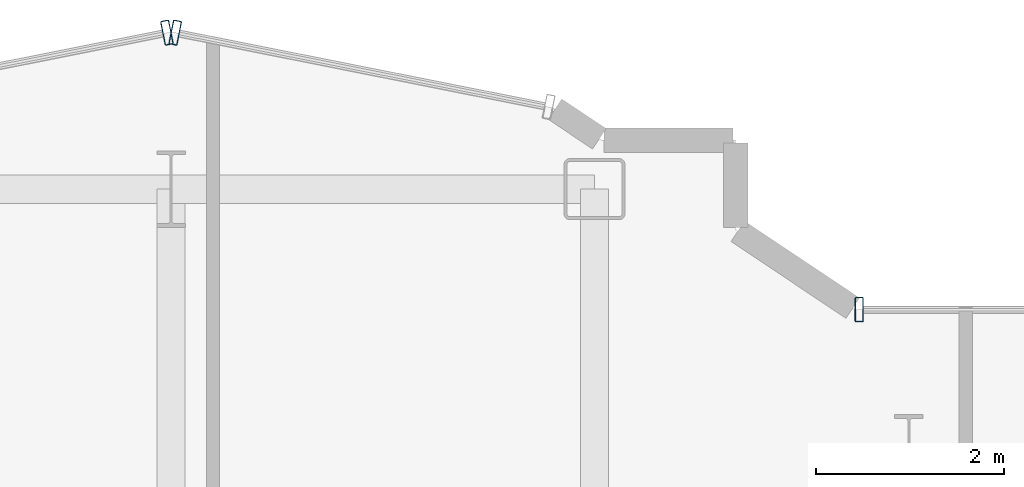
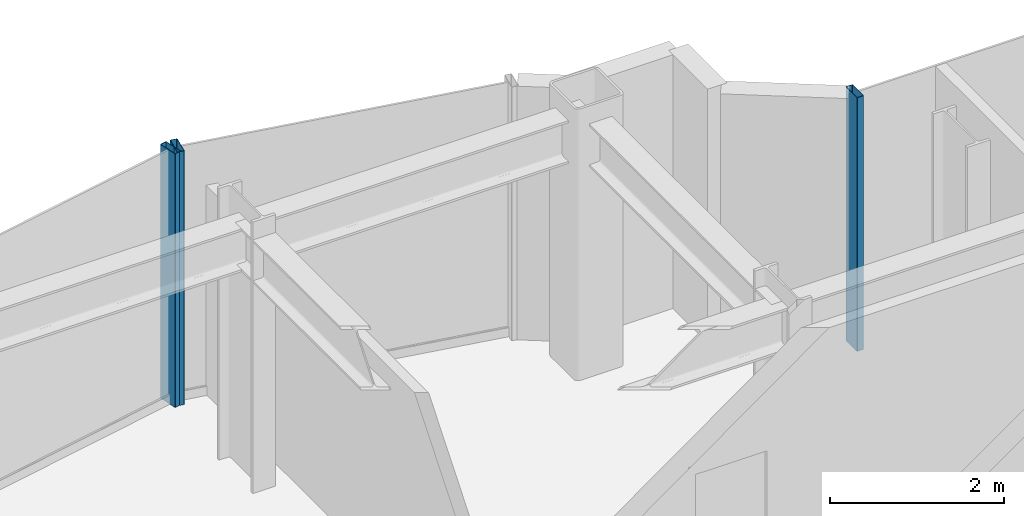
# One storey, part 10 of 20: 3 members, 3 elements without a shape of their own.
"""IFC4 building model written with IfcOpenShell, lengths in metres."""

from ifc_helpers import new_model, si_unit, direction, frame, origin, origin_2d, place, context, subcontext, project, spatial, hollow_rectangle, extrude, source, transform, mapped, material, layer, layer_set, material_profile, profile_set, type_object, element, aggregate, save


model = new_model("IFC4")

# Units and contexts
model_context = context("Model", 3, precision=1e-05, world=origin(), true_north=direction((0.0, 1.0)))
body_context = subcontext(model_context, "Body", "Model", "MODEL_VIEW")
ifc_project = project(units=[si_unit("LENGTHUNIT", "METRE"), si_unit("AREAUNIT", "SQUARE_METRE"), si_unit("VOLUMEUNIT", "CUBIC_METRE"), si_unit("PLANEANGLEUNIT", "RADIAN"), si_unit("MASSUNIT", "GRAM", prefix="KILO")], contexts=[model_context])

# Site, building, storey
site_placement = place(None, origin())
site = spatial("IfcSite", under=ifc_project, at=site_placement, CompositionType="ELEMENT")
building_placement = place(site_placement, origin())
building = spatial("IfcBuilding", under=site, at=building_placement, Name="Nefas-Gora Pilgrimage Tower", CompositionType="ELEMENT")
storey_placement = place(building_placement, frame((0.0, 0.0, 237.0)))
storey = spatial("IfcBuildingStorey", under=building, at=storey_placement, Name="L59", CompositionType="ELEMENT", Elevation=237.0)

# Curtain wall, member
ifc_material_1 = material(Name="Dark ceramic-fritted solar-control aluminium-glass curtain wall", Category="aluminium")
ifc_layer = layer(ifc_material_1, 0.219970703125)
ifc_layer_set = layer_set([ifc_layer], Name="Dark ceramic-fritted solar-control aluminium-glass curtain wall")
curtain_wall_type = type_object("IfcCurtainWallType", Name="CW-SYS-5", PredefinedType="NOTDEFINED", material=ifc_layer_set)
curtain_wall_1_placement = place(storey_placement, origin())
curtain_wall_1 = element("IfcCurtainWall", 1, at=curtain_wall_1_placement, inside=storey, type_object=curtain_wall_type, Name="L59 Unitised Curtain Wall CW5", PredefinedType="NOTDEFINED")
ifc_material_2 = material(Name="Anodised architectural aluminium", Category="aluminium")
ifc_material_profile = material_profile(ifc_material_2, hollow_rectangle(XDim=0.090087890625, YDim=0.260009765625, WallThickness=0.006103515625, InnerFilletRadius=0.006103515625, OuterFilletRadius=0.011962890625, at=origin_2d()), Name="ALU MULLION 90x260")
ifc_profile_set = profile_set([ifc_material_profile], Name="Anodised architectural aluminium")
member_type = type_object("IfcMemberType", Name="CWM-MUL-5", PredefinedType="MULLION", material=ifc_profile_set)
shared_shape = source(origin(), body_context, "Body", "SweptSolid", [
    extrude(hollow_rectangle(XDim=0.090087890625, YDim=0.260009765625, WallThickness=0.006103515625, InnerFilletRadius=0.006103515625, OuterFilletRadius=0.011962890625, at=origin_2d()), origin(), (0.0, 0.0, 1.0), 3.550048828125),
])
member_1_placement = place(storey_placement, frame((5.06298828125, 21.219970703125, 0.0), z_axis=(0.0, 0.0, 1.0), x_axis=(-1.0, 0.0, 0.0)))
member_1 = element("IfcMember", 2, at=member_1_placement, type_object=member_type, Name="CW5 Mullion 2", PredefinedType="MULLION", context=body_context, shape_type="MappedRepresentation", body=[
    mapped(shared_shape, transform((0.0, 0.0, 0.0), x_axis=(1.0, 0.0, 0.0), y_axis=(0.0, 1.0, 0.0), z_axis=(0.0, 0.0, 1.0), scale=1.0)),
])
aggregate(curtain_wall_1, [member_1])

curtain_wall_2_placement = place(storey_placement, origin())
curtain_wall_2 = element("IfcCurtainWall", 3, at=curtain_wall_2_placement, inside=storey, type_object=curtain_wall_type, Name="L59 Unitised Curtain Wall CW5", PredefinedType="NOTDEFINED")
member_2_placement = place(storey_placement, frame((-2.205810546875, 24.16357421875, 0.0), z_axis=(0.0, 0.0, 1.0), x_axis=(-0.980782896852, 0.195102304554, 0.0)))
member_2 = element("IfcMember", 4, at=member_2_placement, type_object=member_type, Name="CW5 Mullion 2", PredefinedType="MULLION", context=body_context, shape_type="MappedRepresentation", body=[
    mapped(shared_shape, transform((0.0, 0.0, 0.0), x_axis=(1.0, 0.0, 0.0), y_axis=(0.0, 1.0, 0.0), z_axis=(0.0, 0.0, 1.0), scale=1.0)),
])
aggregate(curtain_wall_2, [member_2])

curtain_wall_3_placement = place(storey_placement, origin())
curtain_wall_3 = element("IfcCurtainWall", 5, at=curtain_wall_3_placement, inside=storey, type_object=curtain_wall_type, Name="L59 Unitised Curtain Wall CW5", PredefinedType="NOTDEFINED")
member_3_placement = place(storey_placement, frame((-2.294189453125, 24.16357421875, 0.0), z_axis=(0.0, 0.0, 1.0), x_axis=(-0.980782896852, -0.195102304554, 0.0)))
member_3 = element("IfcMember", 6, at=member_3_placement, type_object=member_type, Name="CW5 Mullion 1", PredefinedType="MULLION", context=body_context, shape_type="MappedRepresentation", body=[
    mapped(shared_shape, transform((0.0, 0.0, 0.0), x_axis=(1.0, 0.0, 0.0), y_axis=(0.0, 1.0, 0.0), z_axis=(0.0, 0.0, 1.0), scale=1.0)),
])
aggregate(curtain_wall_3, [member_3])

save(model, "model.ifc")
